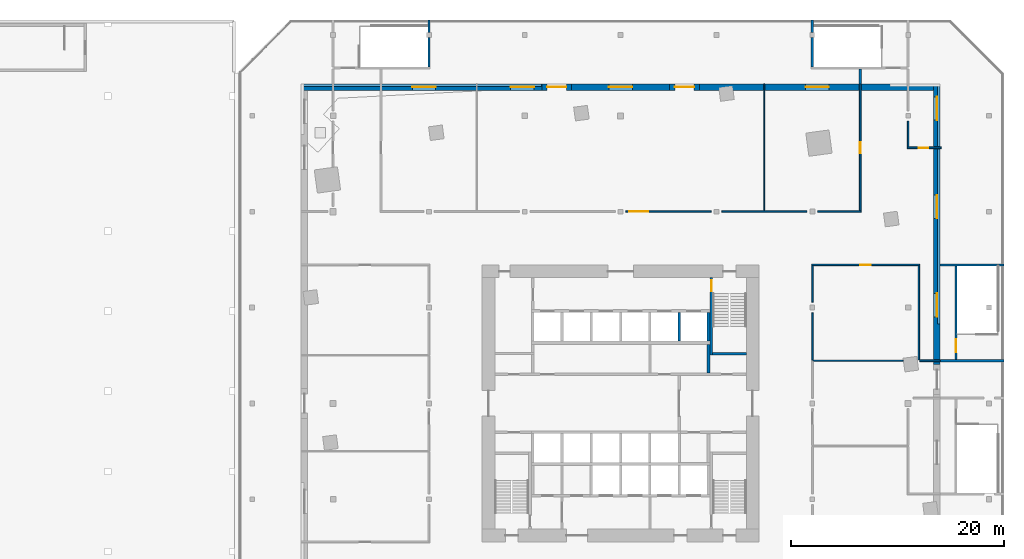
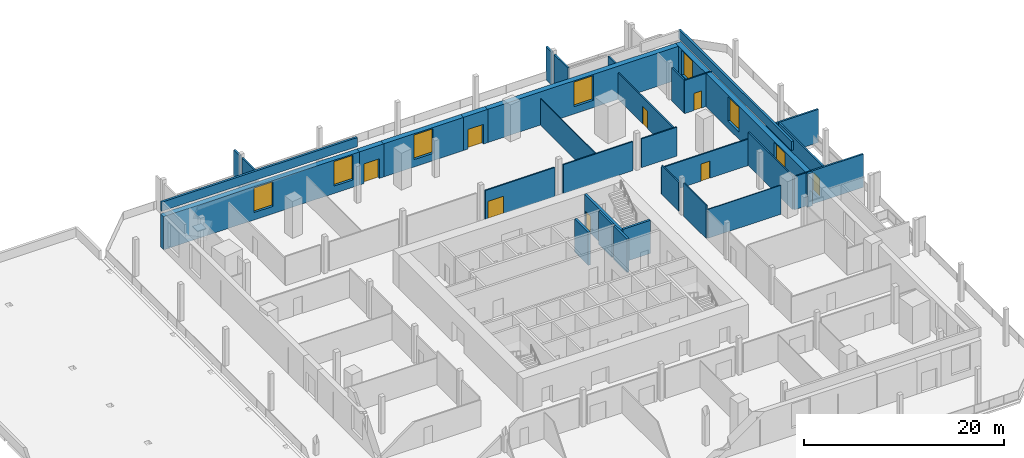
# One storey, part 7 of 12: 34 walls, 8 doors, 7 windows, 15 openings.
"""IFC4 building model written with IfcOpenShell, lengths in metres."""

from ifc_helpers import new_model, si_unit, direction, frame, frame_2d, origin, place, context, subcontext, project, spatial, rectangle, extrude, material, layer, layer_set, type_object, element, fill, save


model = new_model("IFC4")

# Units and contexts
model_context = context("Model", 3, precision=1e-05, world=origin(), true_north=direction((0.0, 1.0)))
body_context = subcontext(model_context, "Body", "Model", "MODEL_VIEW")
ifc_project = project(units=[si_unit("LENGTHUNIT", "METRE"), si_unit("AREAUNIT", "SQUARE_METRE"), si_unit("VOLUMEUNIT", "CUBIC_METRE"), si_unit("PLANEANGLEUNIT", "RADIAN"), si_unit("MASSUNIT", "GRAM", prefix="KILO")], contexts=[model_context])

# Site, building, storey
site_placement = place(None, origin())
site = spatial("IfcSite", under=ifc_project, at=site_placement, CompositionType="ELEMENT")
building_placement = place(site_placement, origin())
building = spatial("IfcBuilding", under=site, at=building_placement, Name="Dilmun Exchange Tower", CompositionType="ELEMENT")
storey_placement = place(building_placement, frame((0.0, 0.0, 18.0)))
storey = spatial("IfcBuildingStorey", under=building, at=storey_placement, Name="L04", CompositionType="ELEMENT", Elevation=18.0)

# Walls
ifc_material_1 = material(Name="Concrete C40/50", Category="concrete")
ifc_layer_1 = layer(ifc_material_1, 0.25)
ifc_layer_set_1 = layer_set([ifc_layer_1], Name="Concrete C40/50")
wall_type_1 = type_object("IfcWallType", Name="Core partition wall 250", PredefinedType="PARTITIONING", material=ifc_layer_set_1)
wall_1_placement = place(storey_placement, frame((8.25, 2.85498046875, 0.0), z_axis=(0.0, 0.0, 1.0), x_axis=(0.0, 1.0, 0.0)))
element("IfcWall", 1, at=wall_1_placement, inside=storey, type_object=wall_type_1, Name="L04 core partition wall 13", PredefinedType="PARTITIONING", context=body_context, shape_type="SweptSolid", body=[
    extrude(rectangle(XDim=2.68994140625, YDim=0.25, at=frame_2d((1.344970703125, 0.0))), origin(), (0.0, 0.0, 1.0), 4.050048828125),
])
ifc_material_2 = material(Name="Fire partition EI 60 150 gypsum")
ifc_layer_2 = layer(ifc_material_2, 0.14990234375)
ifc_layer_set_2 = layer_set([ifc_layer_2], Name="Fire partition EI 60 150 gypsum")
wall_type_2 = type_object("IfcWallType", Name="Fire partition EI 60 150 gypsum", PredefinedType="PARTITIONING", material=ifc_layer_set_2)
wall_2_placement = place(storey_placement, frame((28.074951171875, 4.0, 0.0), z_axis=(0.0, 0.0, 1.0), x_axis=(1.0, 0.0, 0.0)))
element("IfcWall", 2, at=wall_2_placement, inside=storey, type_object=wall_type_2, Name="L04 partition", PredefinedType="PARTITIONING", context=body_context, shape_type="SweptSolid", body=[
    extrude(rectangle(XDim=1.925048828125, YDim=0.14990234375, at=frame_2d((0.96240234375, 0.0))), origin(), (0.0, 0.0, 1.0), 4.050048828125),
])

# Wall, opening, door
wall_3_placement = place(storey_placement, frame((17.925048828125, 13.0, 0.0), z_axis=(0.0, 0.0, 1.0), x_axis=(1.0, 0.0, 0.0)))
wall_3 = element("IfcWall", 3, at=wall_3_placement, inside=storey, type_object=wall_type_2, Name="L04 partition", PredefinedType="PARTITIONING", context=body_context, shape_type="SweptSolid", body=[
    extrude(rectangle(XDim=10.14990234375, YDim=0.14990234375, at=frame_2d((5.074951171875, 0.0))), origin(), (0.0, 0.0, 1.0), 3.22998046875),
])
opening_1_placement = place(wall_3_placement, frame((4.574951171875, 0.0, 0.0)))
opening_1 = element("IfcOpeningElement", 4, at=opening_1_placement, cuts=wall_3, Name="Opening L04-D019", PredefinedType="OPENING", context=body_context, shape_type="SweptSolid", body=[
    extrude(rectangle(XDim=1.0, YDim=2.10009765625, at=frame_2d((0.5, 1.050048828125))), frame((0.0, 0.0849609375, 0.0), z_axis=(0.0, -1.0, 0.0), x_axis=(1.0, 0.0, 0.0)), (0.0, 0.0, 1.0), 0.169921875),
])
ifc_material_3 = material(Name="Fire door FD60 1000 x 2100")
door_type_1 = type_object("IfcDoorType", Name="Fire door FD60 1000 x 2100", OperationType="SINGLE_SWING_LEFT", PredefinedType="DOOR", material=ifc_material_3)
door_1_placement = place(opening_1_placement, origin())
door_1 = element("IfcDoor", 5, at=door_1_placement, inside=storey, type_object=door_type_1, Name="L04 door L04-D019", OperationType="SINGLE_SWING_LEFT", OverallHeight=2.10009765625, OverallWidth=1.0, PredefinedType="DOOR", context=body_context, shape_type="SweptSolid", body=[
    extrude(rectangle(XDim=1.0, YDim=2.10009765625, at=frame_2d((0.5, 1.050048828125))), frame((0.0, 0.02490234375, 0.0), z_axis=(0.0, -1.0, 0.0), x_axis=(1.0, 0.0, 0.0)), (0.0, 0.0, 1.0), 0.050048828125),
])
fill(opening_1, door_1)

wall_4_placement = place(storey_placement, frame((0.5, 18.0, 0.0), z_axis=(0.0, 0.0, 1.0), x_axis=(1.0, 0.0, 0.0)))
wall_4 = element("IfcWall", 6, at=wall_4_placement, inside=storey, type_object=wall_type_2, Name="L04 partition", PredefinedType="PARTITIONING", context=body_context, shape_type="SweptSolid", body=[
    extrude(rectangle(XDim=8.0, YDim=0.14990234375, at=frame_2d((4.0, 0.0))), origin(), (0.0, 0.0, 1.0), 3.530029296875),
])
opening_2_placement = place(wall_4_placement, frame((0.300048828125, 0.0, 0.0)))
opening_2 = element("IfcOpeningElement", 7, at=opening_2_placement, cuts=wall_4, Name="Opening L04-D009", PredefinedType="OPENING", context=body_context, shape_type="SweptSolid", body=[
    extrude(rectangle(XDim=1.800048828125, YDim=2.10009765625, at=frame_2d((0.89990234375, 1.050048828125))), frame((0.0, 0.0849609375, 0.0), z_axis=(0.0, -1.0, 0.0), x_axis=(1.0, 0.0, 0.0)), (0.0, 0.0, 1.0), 0.169921875),
])
ifc_material_4 = material(Name="Fire door FD60 double 1800 x 2100")
door_type_2 = type_object("IfcDoorType", Name="Fire door FD60 double 1800 x 2100", OperationType="DOUBLE_DOOR_SINGLE_SWING", PredefinedType="DOOR", material=ifc_material_4)
door_2_placement = place(opening_2_placement, origin())
door_2 = element("IfcDoor", 8, at=door_2_placement, inside=storey, type_object=door_type_2, Name="L04 door L04-D009", OperationType="DOUBLE_DOOR_SINGLE_SWING", OverallHeight=2.10009765625, OverallWidth=1.800048828125, PredefinedType="DOOR", context=body_context, shape_type="SweptSolid", body=[
    extrude(rectangle(XDim=1.800048828125, YDim=2.10009765625, at=frame_2d((0.89990234375, 1.050048828125))), frame((0.0, 0.02490234375, 0.0), z_axis=(0.0, -1.0, 0.0), x_axis=(1.0, 0.0, 0.0)), (0.0, 0.0, 1.0), 0.050048828125),
])
fill(opening_2, door_2)

# Walls
wall_5_placement = place(storey_placement, frame((9.5, 18.0, 0.0), z_axis=(0.0, 0.0, 1.0), x_axis=(1.0, 0.0, 0.0)))
element("IfcWall", 9, at=wall_5_placement, inside=storey, type_object=wall_type_2, Name="L04 partition", PredefinedType="PARTITIONING", context=body_context, shape_type="SweptSolid", body=[
    extrude(rectangle(XDim=8.0, YDim=0.14990234375, at=frame_2d((4.0, 0.0))), origin(), (0.0, 0.0, 1.0), 3.530029296875),
])
wall_6_placement = place(storey_placement, frame((18.5, 18.0, 0.0), z_axis=(0.0, 0.0, 1.0), x_axis=(1.0, 0.0, 0.0)))
element("IfcWall", 10, at=wall_6_placement, inside=storey, type_object=wall_type_2, Name="L04 partition", PredefinedType="PARTITIONING", context=body_context, shape_type="SweptSolid", body=[
    extrude(rectangle(XDim=4.074951171875, YDim=0.14990234375, at=frame_2d((2.03759765625, 0.0))), origin(), (0.0, 0.0, 1.0), 3.530029296875),
])

# Wall, opening, door
wall_7_placement = place(storey_placement, frame((26.925048828125, 24.0, 0.0), z_axis=(0.0, 0.0, 1.0), x_axis=(1.0, 0.0, 0.0)))
wall_7 = element("IfcWall", 11, at=wall_7_placement, inside=storey, type_object=wall_type_2, Name="L04 partition", PredefinedType="PARTITIONING", context=body_context, shape_type="SweptSolid", body=[
    extrude(rectangle(XDim=3.175048828125, YDim=0.14990234375, at=frame_2d((1.58740234375, 0.0))), origin(), (0.0, 0.0, 1.0), 4.050048828125),
])
opening_3_placement = place(wall_7_placement, frame((1.074951171875, 0.0, 0.0)))
opening_3 = element("IfcOpeningElement", 12, at=opening_3_placement, cuts=wall_7, Name="Opening L04-D005", PredefinedType="OPENING", context=body_context, shape_type="SweptSolid", body=[
    extrude(rectangle(XDim=0.89990234375, YDim=2.10009765625, at=frame_2d((0.449951171875, 1.050048828125))), frame((0.0, 0.0849609375, 0.0), z_axis=(0.0, -1.0, 0.0), x_axis=(1.0, 0.0, 0.0)), (0.0, 0.0, 1.0), 0.169921875),
])
ifc_material_5 = material(Name="Door 900 x 2100")
door_type_3 = type_object("IfcDoorType", Name="Door 900 x 2100", OperationType="SINGLE_SWING_LEFT", PredefinedType="DOOR", material=ifc_material_5)
door_3_placement = place(opening_3_placement, origin())
door_3 = element("IfcDoor", 13, at=door_3_placement, inside=storey, type_object=door_type_3, Name="L04 door L04-D005", OperationType="SINGLE_SWING_LEFT", OverallHeight=2.10009765625, OverallWidth=0.89990234375, PredefinedType="DOOR", context=body_context, shape_type="SweptSolid", body=[
    extrude(rectangle(XDim=0.89990234375, YDim=2.10009765625, at=frame_2d((0.449951171875, 1.050048828125))), frame((0.0, 0.02490234375, 0.0), z_axis=(0.0, -1.0, 0.0), x_axis=(1.0, 0.0, 0.0)), (0.0, 0.0, 1.0), 0.050048828125),
])
fill(opening_3, door_3)

# Walls
wall_8_placement = place(storey_placement, frame((18.0, 4.050048828125, 0.0), z_axis=(0.0, 0.0, 1.0), x_axis=(0.0, 1.0, 0.0)))
element("IfcWall", 14, at=wall_8_placement, inside=storey, type_object=wall_type_2, Name="L04 partition", PredefinedType="PARTITIONING", context=body_context, shape_type="SweptSolid", body=[
    extrude(rectangle(XDim=4.449951171875, YDim=0.14990234375, at=frame_2d((2.22509765625, 0.0))), origin(), (0.0, 0.0, 1.0), 4.050048828125),
])
wall_9_placement = place(storey_placement, frame((18.0, 9.5, 0.0), z_axis=(0.0, 0.0, 1.0), x_axis=(0.0, 1.0, 0.0)))
element("IfcWall", 15, at=wall_9_placement, inside=storey, type_object=wall_type_2, Name="L04 partition", PredefinedType="PARTITIONING", context=body_context, shape_type="SweptSolid", body=[
    extrude(rectangle(XDim=3.425048828125, YDim=0.14990234375, at=frame_2d((1.71240234375, 0.0))), origin(), (0.0, 0.0, 1.0), 3.530029296875),
])

# Wall, opening, door
wall_10_placement = place(storey_placement, frame((22.5, 18.074951171875, 0.0), z_axis=(0.0, 0.0, 1.0), x_axis=(0.0, 1.0, 0.0)))
wall_10 = element("IfcWall", 16, at=wall_10_placement, inside=storey, type_object=wall_type_2, Name="L04 partition", PredefinedType="PARTITIONING", context=body_context, shape_type="SweptSolid", body=[
    extrude(rectangle(XDim=11.925048828125, YDim=0.14990234375, at=frame_2d((5.96240234375, 0.0))), origin(), (0.0, 0.0, 1.0), 3.22998046875),
])
opening_4_placement = place(wall_10_placement, frame((5.425048828125, 0.0, 0.0)))
opening_4 = element("IfcOpeningElement", 17, at=opening_4_placement, cuts=wall_10, Name="Opening L04-D008", PredefinedType="OPENING", context=body_context, shape_type="SweptSolid", body=[
    extrude(rectangle(XDim=1.0, YDim=2.10009765625, at=frame_2d((0.5, 1.050048828125))), frame((0.0, 0.0849609375, 0.0), z_axis=(0.0, -1.0, 0.0), x_axis=(1.0, 0.0, 0.0)), (0.0, 0.0, 1.0), 0.169921875),
])
door_4_placement = place(opening_4_placement, origin())
door_4 = element("IfcDoor", 18, at=door_4_placement, inside=storey, type_object=door_type_1, Name="L04 door L04-D008", OperationType="SINGLE_SWING_RIGHT", OverallHeight=2.10009765625, OverallWidth=1.0, PredefinedType="DOOR", context=body_context, shape_type="SweptSolid", body=[
    extrude(rectangle(XDim=1.0, YDim=2.10009765625, at=frame_2d((0.5, 1.050048828125))), frame((0.0, 0.02490234375, 0.0), z_axis=(0.0, -1.0, 0.0), x_axis=(1.0, 0.0, 0.0)), (0.0, 0.0, 1.0), 0.050048828125),
])
fill(opening_4, door_4)

# Walls
wall_11_placement = place(storey_placement, frame((27.0, 24.074951171875, 0.0), z_axis=(0.0, 0.0, 1.0), x_axis=(0.0, 1.0, 0.0)))
element("IfcWall", 19, at=wall_11_placement, inside=storey, type_object=wall_type_2, Name="L04 partition", PredefinedType="PARTITIONING", context=body_context, shape_type="SweptSolid", body=[
    extrude(rectangle(XDim=2.425048828125, YDim=0.14990234375, at=frame_2d((1.21240234375, 0.0))), origin(), (0.0, 0.0, 1.0), 4.050048828125),
])
wall_12_placement = place(storey_placement, frame((28.0, 4.074951171875, 0.0), z_axis=(0.0, 0.0, 1.0), x_axis=(0.0, 1.0, 0.0)))
element("IfcWall", 20, at=wall_12_placement, inside=storey, type_object=wall_type_2, Name="L04 partition", PredefinedType="PARTITIONING", context=body_context, shape_type="SweptSolid", body=[
    extrude(rectangle(XDim=8.85009765625, YDim=0.14990234375, at=frame_2d((4.425048828125, 0.0))), origin(), (0.0, 0.0, 1.0), 4.050048828125),
])
ifc_material_6 = material(Name="Fire wall EI 120 200 blockwork", Category="masonry")
ifc_layer_3 = layer(ifc_material_6, 0.199951171875)
ifc_layer_set_3 = layer_set([ifc_layer_3], Name="Fire wall EI 120 200 blockwork")
wall_type_3 = type_object("IfcWallType", Name="Fire wall EI 120 200 blockwork", PredefinedType="PARTITIONING", material=ifc_layer_set_3)
for number, where, z_axis, x_axis, name in (
    (21, (30.0, 4.0, 0.0), (0.0, 0.0, 1.0), (1.0, 0.0, 0.0), "L04 stair wall"),
    (22, (30.0, 13.0, 0.0), (0.0, 0.0, 1.0), (1.0, 0.0, 0.0), "L04 stair wall"),
):
    element("IfcWall", number, at=place(storey_placement, frame(where, z_axis=z_axis, x_axis=x_axis)), inside=storey, type_object=wall_type_3, Name=name, PredefinedType="PARTITIONING", context=body_context, shape_type="SweptSolid", body=[
        extrude(rectangle(XDim=6.0, YDim=0.199951171875, at=frame_2d((3.0, 0.0))), origin(), (0.0, 0.0, 1.0), 4.050048828125),
    ])
wall_13_placement = place(storey_placement, frame((-18.0, 31.60009765625, 0.0), z_axis=(0.0, 0.0, 1.0), x_axis=(0.0, 1.0, 0.0)))
element("IfcWall", 23, at=wall_13_placement, inside=storey, type_object=wall_type_3, Name="L04 stair wall", PredefinedType="PARTITIONING", context=body_context, shape_type="SweptSolid", body=[
    extrude(rectangle(XDim=2.77490234375, YDim=0.199951171875, at=frame_2d((1.387451171875, 0.0))), origin(), (0.0, 0.0, 1.0), 4.050048828125),
])
wall_14_placement = place(storey_placement, frame((-18.0, 34.824951171875, 0.0), z_axis=(0.0, 0.0, 1.0), x_axis=(0.0, 1.0, 0.0)))
element("IfcWall", 24, at=wall_14_placement, inside=storey, type_object=wall_type_3, Name="L04 stair wall", PredefinedType="PARTITIONING", context=body_context, shape_type="SweptSolid", body=[
    extrude(rectangle(XDim=1.175048828125, YDim=0.199951171875, at=frame_2d((0.58740234375, 0.0))), origin(), (0.0, 0.0, 1.0), 4.050048828125),
])
wall_15_placement = place(storey_placement, frame((18.0, 31.60009765625, 0.0), z_axis=(0.0, 0.0, 1.0), x_axis=(0.0, 1.0, 0.0)))
element("IfcWall", 25, at=wall_15_placement, inside=storey, type_object=wall_type_3, Name="L04 stair wall", PredefinedType="PARTITIONING", context=body_context, shape_type="SweptSolid", body=[
    extrude(rectangle(XDim=2.77490234375, YDim=0.199951171875, at=frame_2d((1.387451171875, 0.0))), origin(), (0.0, 0.0, 1.0), 4.050048828125),
])
wall_16_placement = place(storey_placement, frame((18.0, 34.824951171875, 0.0), z_axis=(0.0, 0.0, 1.0), x_axis=(0.0, 1.0, 0.0)))
element("IfcWall", 26, at=wall_16_placement, inside=storey, type_object=wall_type_3, Name="L04 stair wall", PredefinedType="PARTITIONING", context=body_context, shape_type="SweptSolid", body=[
    extrude(rectangle(XDim=1.175048828125, YDim=0.199951171875, at=frame_2d((0.58740234375, 0.0))), origin(), (0.0, 0.0, 1.0), 4.050048828125),
])
wall_17_placement = place(storey_placement, frame((22.5, 30.0, 0.0), z_axis=(0.0, 0.0, 1.0), x_axis=(0.0, 1.0, 0.0)))
element("IfcWall", 27, at=wall_17_placement, inside=storey, type_object=wall_type_3, Name="L04 partition", PredefinedType="PARTITIONING", context=body_context, shape_type="SweptSolid", body=[
    extrude(rectangle(XDim=1.39990234375, YDim=0.199951171875, at=frame_2d((0.699951171875, 0.0))), origin(), (0.0, 0.0, 1.0), 4.050048828125),
])

# Wall, opening, door
wall_18_placement = place(storey_placement, frame((31.5, 4.10009765625, 0.0), z_axis=(0.0, 0.0, 1.0), x_axis=(0.0, 1.0, 0.0)))
wall_18 = element("IfcWall", 28, at=wall_18_placement, inside=storey, type_object=wall_type_3, Name="L04 stair wall", PredefinedType="PARTITIONING", context=body_context, shape_type="SweptSolid", body=[
    extrude(rectangle(XDim=8.7998046875, YDim=0.199951171875, at=frame_2d((4.39990234375, 0.0))), origin(), (0.0, 0.0, 1.0), 4.050048828125),
])
opening_5_placement = place(wall_18_placement, frame((0.699951171875, 0.0, 0.0)))
opening_5 = element("IfcOpeningElement", 29, at=opening_5_placement, cuts=wall_18, Name="Opening L04-D004", PredefinedType="OPENING", context=body_context, shape_type="SweptSolid", body=[
    extrude(rectangle(XDim=1.199951171875, YDim=2.10009765625, at=frame_2d((0.60009765625, 1.050048828125))), frame((0.0, 0.10986328125, 0.0), z_axis=(0.0, -1.0, 0.0), x_axis=(1.0, 0.0, 0.0)), (0.0, 0.0, 1.0), 0.219970703125),
])
ifc_material_7 = material(Name="Stair door FD90 1200 x 2100")
door_type_4 = type_object("IfcDoorType", Name="Stair door FD90 1200 x 2100", OperationType="SINGLE_SWING_LEFT", PredefinedType="DOOR", material=ifc_material_7)
door_5_placement = place(opening_5_placement, frame((1.199951171875, 0.0, 0.0), z_axis=(0.0, 0.0, 1.0), x_axis=(-1.0, 0.0, 0.0)))
door_5 = element("IfcDoor", 30, at=door_5_placement, inside=storey, type_object=door_type_4, Name="L04 door L04-D004", OperationType="SINGLE_SWING_RIGHT", OverallHeight=2.10009765625, OverallWidth=1.199951171875, PredefinedType="DOOR", context=body_context, shape_type="SweptSolid", body=[
    extrude(rectangle(XDim=1.199951171875, YDim=2.10009765625, at=frame_2d((0.60009765625, 1.050048828125))), frame((0.0, 0.02490234375, 0.0), z_axis=(0.0, -1.0, 0.0), x_axis=(1.0, 0.0, 0.0)), (0.0, 0.0, 1.0), 0.050048828125),
])
fill(opening_5, door_5)

# Walls
ifc_layer_4 = layer(ifc_material_1, 0.25)
ifc_layer_set_4 = layer_set([ifc_layer_4], Name="Concrete C40/50")
wall_type_4 = type_object("IfcWallType", Name="Lift shaft wall 250", PredefinedType="SOLIDWALL", material=ifc_layer_set_4)
for number, where, z_axis, x_axis, name in (
    (31, (5.5, 5.85009765625, 0.0), (0.0, 0.0, 1.0), (0.0, 1.0, 0.0), "L04 lift shaft divider N25"),
    (32, (8.25, 5.85009765625, 0.0), (0.0, 0.0, 1.0), (0.0, 1.0, 0.0), "L04 lift shaft divider N26"),
):
    element("IfcWall", number, at=place(storey_placement, frame(where, z_axis=z_axis, x_axis=x_axis)), inside=storey, type_object=wall_type_4, Name=name, PredefinedType="SOLIDWALL", context=body_context, shape_type="SweptSolid", body=[
        extrude(rectangle(XDim=2.699951171875, YDim=0.25, at=frame_2d((1.35009765625, 0.0))), origin(), (0.0, 0.0, 1.0), 4.050048828125),
    ])
ifc_material_8 = material(Name="Partition 100 gypsum")
ifc_layer_5 = layer(ifc_material_8, 0.10009765625)
ifc_layer_set_5 = layer_set([ifc_layer_5], Name="Partition 100 gypsum")
wall_type_5 = type_object("IfcWallType", Name="Partition 100 gypsum", PredefinedType="PARTITIONING", material=ifc_layer_set_5)
wall_19_placement = place(storey_placement, frame((18.074951171875, 4.0, 0.0), z_axis=(0.0, 0.0, 1.0), x_axis=(1.0, 0.0, 0.0)))
element("IfcWall", 33, at=wall_19_placement, inside=storey, type_object=wall_type_5, Name="L04 partition", PredefinedType="PARTITIONING", context=body_context, shape_type="SweptSolid", body=[
    extrude(rectangle(XDim=8.44677734375, YDim=0.10009765625, at=frame_2d((4.223388671875, 0.0))), origin(), (0.0, 0.0, 1.0), 3.530029296875),
])
wall_20_placement = place(storey_placement, frame((13.5, 18.074951171875, 0.0), z_axis=(0.0, 0.0, 1.0), x_axis=(0.0, 1.0, 0.0)))
element("IfcWall", 34, at=wall_20_placement, inside=storey, type_object=wall_type_5, Name="L04 partition", PredefinedType="PARTITIONING", context=body_context, shape_type="SweptSolid", body=[
    extrude(rectangle(XDim=11.925048828125, YDim=0.10009765625, at=frame_2d((5.96240234375, 0.0))), origin(), (0.0, 0.0, 1.0), 3.22998046875),
])

# Wall, openings, windows
ifc_material_9 = material(Name="Precast concrete C50/60", Category="concrete")
ifc_layer_6 = layer(ifc_material_9, 0.60009765625)
ifc_layer_set_6 = layer_set([ifc_layer_6], Name="Precast concrete C50/60")
wall_type_6 = type_object("IfcWallType", Name="Precast stone-clad wall 600", PredefinedType="STANDARD", material=ifc_layer_set_6)
wall_21_placement = place(storey_placement, frame((29.699951171875, 3.64990234375, 0.0), z_axis=(0.0, 0.0, 1.0), x_axis=(0.0, 1.0, 0.0)))
wall_21 = element("IfcWall", 35, at=wall_21_placement, inside=storey, type_object=wall_type_6, Name="Facade wall L04-00-2", PredefinedType="STANDARD", context=body_context, shape_type="SweptSolid", body=[
    extrude(rectangle(XDim=26.35009765625, YDim=0.60009765625, at=frame_2d((13.175048828125, 0.0))), origin(), (0.0, 0.0, 1.0), 4.050048828125),
])
opening_6_placement = place(wall_21_placement, frame((4.480712890625, 0.0, 0.89990234375)))
opening_6 = element("IfcOpeningElement", 36, at=opening_6_placement, cuts=wall_21, Name="Opening W220-300", PredefinedType="OPENING", context=body_context, shape_type="SweptSolid", body=[
    extrude(rectangle(XDim=2.199951171875, YDim=3.0, at=frame_2d((1.10009765625, 1.5))), frame((0.0, 0.31005859375, 0.0), z_axis=(0.0, -1.0, 0.0), x_axis=(1.0, 0.0, 0.0)), (0.0, 0.0, 1.0), 0.6201171875),
])
opening_7_placement = place(wall_21_placement, frame((13.71142578125, 0.0, 0.89990234375)))
opening_7 = element("IfcOpeningElement", 37, at=opening_7_placement, cuts=wall_21, Name="Opening W220-300", PredefinedType="OPENING", context=body_context, shape_type="SweptSolid", body=[
    extrude(rectangle(XDim=2.199951171875, YDim=3.0, at=frame_2d((1.10009765625, 1.5))), frame((0.0, 0.31005859375, 0.0), z_axis=(0.0, -1.0, 0.0), x_axis=(1.0, 0.0, 0.0)), (0.0, 0.0, 1.0), 0.6201171875),
])
opening_8_placement = place(wall_21_placement, frame((22.9423828125, 0.0, 0.89990234375)))
opening_8 = element("IfcOpeningElement", 38, at=opening_8_placement, cuts=wall_21, Name="Opening W220-300", PredefinedType="OPENING", context=body_context, shape_type="SweptSolid", body=[
    extrude(rectangle(XDim=2.199951171875, YDim=3.0, at=frame_2d((1.10009765625, 1.5))), frame((0.0, 0.31005859375, 0.0), z_axis=(0.0, -1.0, 0.0), x_axis=(1.0, 0.0, 0.0)), (0.0, 0.0, 1.0), 0.6201171875),
])
ifc_material_10 = material(Name="Clear low-emissivity glass in aluminium frame", Category="aluminium")
window_type = type_object("IfcWindowType", Name="Punched window 2200 x 3000", PartitioningType="DOUBLE_PANEL_VERTICAL", PredefinedType="WINDOW", material=ifc_material_10)
window_1_placement = place(opening_6_placement, origin())
window_1 = element("IfcWindow", 39, at=window_1_placement, inside=storey, type_object=window_type, Name="Window 1.9", OverallHeight=3.0, OverallWidth=2.199951171875, PartitioningType="SINGLE_PANEL", PredefinedType="WINDOW", context=body_context, shape_type="SweptSolid", body=[
    extrude(rectangle(XDim=2.199951171875, YDim=3.0, at=frame_2d((1.10009765625, 1.5))), frame((0.0, 0.030029296875, 0.0), z_axis=(0.0, -1.0, 0.0), x_axis=(1.0, 0.0, 0.0)), (0.0, 0.0, 1.0), 0.06005859375),
])
fill(opening_6, window_1)
window_2_placement = place(opening_7_placement, origin())
window_2 = element("IfcWindow", 40, at=window_2_placement, inside=storey, type_object=window_type, Name="Window 1.11", OverallHeight=3.0, OverallWidth=2.199951171875, PartitioningType="SINGLE_PANEL", PredefinedType="WINDOW", context=body_context, shape_type="SweptSolid", body=[
    extrude(rectangle(XDim=2.199951171875, YDim=3.0, at=frame_2d((1.10009765625, 1.5))), frame((0.0, 0.030029296875, 0.0), z_axis=(0.0, -1.0, 0.0), x_axis=(1.0, 0.0, 0.0)), (0.0, 0.0, 1.0), 0.06005859375),
])
fill(opening_7, window_2)
window_3_placement = place(opening_8_placement, origin())
window_3 = element("IfcWindow", 41, at=window_3_placement, inside=storey, type_object=window_type, Name="Window 1.13", OverallHeight=3.0, OverallWidth=2.199951171875, PartitioningType="SINGLE_PANEL", PredefinedType="WINDOW", context=body_context, shape_type="SweptSolid", body=[
    extrude(rectangle(XDim=2.199951171875, YDim=3.0, at=frame_2d((1.10009765625, 1.5))), frame((0.0, 0.030029296875, 0.0), z_axis=(0.0, -1.0, 0.0), x_axis=(1.0, 0.0, 0.0)), (0.0, 0.0, 1.0), 0.06005859375),
])
fill(opening_8, window_3)

# Wall, opening, window
wall_22_placement = place(storey_placement, frame((29.39990234375, 29.699951171875, 0.0), z_axis=(0.0, 0.0, 1.0), x_axis=(-1.0, 0.0, 0.0)))
wall_22 = element("IfcWall", 42, at=wall_22_placement, inside=storey, type_object=wall_type_6, Name="Facade wall L04-01-0", PredefinedType="STANDARD", context=body_context, shape_type="SweptSolid", body=[
    extrude(rectangle(XDim=22.0, YDim=0.60009765625, at=frame_2d((11.0, 0.0))), origin(), (0.0, 0.0, 1.0), 4.050048828125),
])
opening_9_placement = place(wall_22_placement, frame((9.83837890625, 0.0, 0.89990234375)))
opening_9 = element("IfcOpeningElement", 43, at=opening_9_placement, cuts=wall_22, Name="Opening W220-300", PredefinedType="OPENING", context=body_context, shape_type="SweptSolid", body=[
    extrude(rectangle(XDim=2.199951171875, YDim=3.0, at=frame_2d((1.10009765625, 1.5))), frame((0.0, 0.31005859375, 0.0), z_axis=(0.0, -1.0, 0.0), x_axis=(1.0, 0.0, 0.0)), (0.0, 0.0, 1.0), 0.6201171875),
])
window_4_placement = place(opening_9_placement, origin())
window_4 = element("IfcWindow", 44, at=window_4_placement, inside=storey, type_object=window_type, Name="Window 2.3", OverallHeight=3.0, OverallWidth=2.199951171875, PartitioningType="SINGLE_PANEL", PredefinedType="WINDOW", context=body_context, shape_type="SweptSolid", body=[
    extrude(rectangle(XDim=2.199951171875, YDim=3.0, at=frame_2d((1.10009765625, 1.5))), frame((0.0, 0.030029296875, 0.0), z_axis=(0.0, -1.0, 0.0), x_axis=(1.0, 0.0, 0.0)), (0.0, 0.0, 1.0), 0.06005859375),
])
fill(opening_9, window_4)

# Wall, opening, door
wall_23_placement = place(storey_placement, frame((4.60009765625, 29.699951171875, 0.0), z_axis=(0.0, 0.0, 1.0), x_axis=(1.0, 0.0, 0.0)))
wall_23 = element("IfcWall", 45, at=wall_23_placement, inside=storey, type_object=wall_type_6, Name="Facade wall L04-01-1", PredefinedType="STANDARD", context=body_context, shape_type="SweptSolid", body=[
    extrude(rectangle(XDim=2.7998046875, YDim=0.60009765625, at=frame_2d((1.39990234375, 0.0))), origin(), (0.0, 0.0, 1.0), 4.050048828125),
])
opening_10_placement = place(wall_23_placement, frame((0.5, 0.0, 0.0)))
opening_10 = element("IfcOpeningElement", 46, at=opening_10_placement, cuts=wall_23, Name="Opening TD1", PredefinedType="OPENING", context=body_context, shape_type="SweptSolid", body=[
    extrude(rectangle(XDim=1.800048828125, YDim=2.39990234375, at=frame_2d((0.89990234375, 1.199951171875))), frame((0.0, 0.31005859375, 0.0), z_axis=(0.0, -1.0, 0.0), x_axis=(1.0, 0.0, 0.0)), (0.0, 0.0, 1.0), 0.6201171875),
])
door_type_5 = type_object("IfcDoorType", Name="Glazed terrace door pair 1800 x 2400", OperationType="DOUBLE_DOOR_SINGLE_SWING", PredefinedType="DOOR", material=ifc_material_10)
door_6_placement = place(opening_10_placement, origin())
door_6 = element("IfcDoor", 47, at=door_6_placement, inside=storey, type_object=door_type_5, Name="Door X-T2 terrace", OperationType="DOUBLE_DOOR_SINGLE_SWING", OverallHeight=2.39990234375, OverallWidth=1.800048828125, PredefinedType="DOOR", context=body_context, shape_type="SweptSolid", body=[
    extrude(rectangle(XDim=1.800048828125, YDim=2.39990234375, at=frame_2d((0.89990234375, 1.199951171875))), frame((0.0, 0.02490234375, 0.0), z_axis=(0.0, -1.0, 0.0), x_axis=(1.0, 0.0, 0.0)), (0.0, 0.0, 1.0), 0.050048828125),
])
fill(opening_10, door_6)

# Wall, opening, window
wall_24_placement = place(storey_placement, frame((4.60009765625, 29.699951171875, 0.0), z_axis=(0.0, 0.0, 1.0), x_axis=(-1.0, 0.0, 0.0)))
wall_24 = element("IfcWall", 48, at=wall_24_placement, inside=storey, type_object=wall_type_6, Name="Facade wall L04-01-2", PredefinedType="STANDARD", context=body_context, shape_type="SweptSolid", body=[
    extrude(rectangle(XDim=9.2001953125, YDim=0.60009765625, at=frame_2d((4.60009765625, 0.0))), origin(), (0.0, 0.0, 1.0), 4.050048828125),
])
opening_11_placement = place(wall_24_placement, frame((3.5, 0.0, 0.89990234375)))
opening_11 = element("IfcOpeningElement", 49, at=opening_11_placement, cuts=wall_24, Name="Opening W220-300", PredefinedType="OPENING", context=body_context, shape_type="SweptSolid", body=[
    extrude(rectangle(XDim=2.199951171875, YDim=3.0, at=frame_2d((1.10009765625, 1.5))), frame((0.0, 0.31005859375, 0.0), z_axis=(0.0, -1.0, 0.0), x_axis=(1.0, 0.0, 0.0)), (0.0, 0.0, 1.0), 0.6201171875),
])
window_5_placement = place(opening_11_placement, origin())
window_5 = element("IfcWindow", 50, at=window_5_placement, inside=storey, type_object=window_type, Name="Window 2.7", OverallHeight=3.0, OverallWidth=2.199951171875, PartitioningType="SINGLE_PANEL", PredefinedType="WINDOW", context=body_context, shape_type="SweptSolid", body=[
    extrude(rectangle(XDim=2.199951171875, YDim=3.0, at=frame_2d((1.10009765625, 1.5))), frame((0.0, 0.030029296875, 0.0), z_axis=(0.0, -1.0, 0.0), x_axis=(1.0, 0.0, 0.0)), (0.0, 0.0, 1.0), 0.06005859375),
])
fill(opening_11, window_5)

# Wall, opening, door
wall_25_placement = place(storey_placement, frame((-7.39990234375, 29.699951171875, 0.0), z_axis=(0.0, 0.0, 1.0), x_axis=(1.0, 0.0, 0.0)))
wall_25 = element("IfcWall", 51, at=wall_25_placement, inside=storey, type_object=wall_type_6, Name="Facade wall L04-01-3", PredefinedType="STANDARD", context=body_context, shape_type="SweptSolid", body=[
    extrude(rectangle(XDim=2.7998046875, YDim=0.60009765625, at=frame_2d((1.39990234375, 0.0))), origin(), (0.0, 0.0, 1.0), 4.050048828125),
])
opening_12_placement = place(wall_25_placement, frame((0.5, 0.0, 0.0)))
opening_12 = element("IfcOpeningElement", 52, at=opening_12_placement, cuts=wall_25, Name="Opening TD1", PredefinedType="OPENING", context=body_context, shape_type="SweptSolid", body=[
    extrude(rectangle(XDim=1.800048828125, YDim=2.39990234375, at=frame_2d((0.89990234375, 1.199951171875))), frame((0.0, 0.31005859375, 0.0), z_axis=(0.0, -1.0, 0.0), x_axis=(1.0, 0.0, 0.0)), (0.0, 0.0, 1.0), 0.6201171875),
])
door_7_placement = place(opening_12_placement, origin())
door_7 = element("IfcDoor", 53, at=door_7_placement, inside=storey, type_object=door_type_5, Name="Door X-T1 terrace", OperationType="DOUBLE_DOOR_SINGLE_SWING", OverallHeight=2.39990234375, OverallWidth=1.800048828125, PredefinedType="DOOR", context=body_context, shape_type="SweptSolid", body=[
    extrude(rectangle(XDim=1.800048828125, YDim=2.39990234375, at=frame_2d((0.89990234375, 1.199951171875))), frame((0.0, 0.02490234375, 0.0), z_axis=(0.0, -1.0, 0.0), x_axis=(1.0, 0.0, 0.0)), (0.0, 0.0, 1.0), 0.050048828125),
])
fill(opening_12, door_7)

# Wall, openings, windows
wall_26_placement = place(storey_placement, frame((-7.39990234375, 29.699951171875, 0.0), z_axis=(0.0, 0.0, 1.0), x_axis=(-1.0, 0.0, 0.0)))
wall_26 = element("IfcWall", 54, at=wall_26_placement, inside=storey, type_object=wall_type_6, Name="Facade wall L04-01-4", PredefinedType="STANDARD", context=body_context, shape_type="SweptSolid", body=[
    extrude(rectangle(XDim=22.60009765625, YDim=0.60009765625, at=frame_2d((11.300048828125, 0.0))), origin(), (0.0, 0.0, 1.0), 4.050048828125),
])
opening_13_placement = place(wall_26_placement, frame((0.730712890625, 0.0, 0.89990234375)))
opening_13 = element("IfcOpeningElement", 55, at=opening_13_placement, cuts=wall_26, Name="Opening W220-300", PredefinedType="OPENING", context=body_context, shape_type="SweptSolid", body=[
    extrude(rectangle(XDim=2.199951171875, YDim=3.0, at=frame_2d((1.10009765625, 1.5))), frame((0.0, 0.31005859375, 0.0), z_axis=(0.0, -1.0, 0.0), x_axis=(1.0, 0.0, 0.0)), (0.0, 0.0, 1.0), 0.6201171875),
])
opening_14_placement = place(wall_26_placement, frame((9.96142578125, 0.0, 0.89990234375)))
opening_14 = element("IfcOpeningElement", 56, at=opening_14_placement, cuts=wall_26, Name="Opening W220-300", PredefinedType="OPENING", context=body_context, shape_type="SweptSolid", body=[
    extrude(rectangle(XDim=2.199951171875, YDim=3.0, at=frame_2d((1.10009765625, 1.5))), frame((0.0, 0.31005859375, 0.0), z_axis=(0.0, -1.0, 0.0), x_axis=(1.0, 0.0, 0.0)), (0.0, 0.0, 1.0), 0.6201171875),
])
window_6_placement = place(opening_13_placement, origin())
window_6 = element("IfcWindow", 57, at=window_6_placement, inside=storey, type_object=window_type, Name="Window 2.9", OverallHeight=3.0, OverallWidth=2.199951171875, PartitioningType="SINGLE_PANEL", PredefinedType="WINDOW", context=body_context, shape_type="SweptSolid", body=[
    extrude(rectangle(XDim=2.199951171875, YDim=3.0, at=frame_2d((1.10009765625, 1.5))), frame((0.0, 0.030029296875, 0.0), z_axis=(0.0, -1.0, 0.0), x_axis=(1.0, 0.0, 0.0)), (0.0, 0.0, 1.0), 0.06005859375),
])
fill(opening_13, window_6)
window_7_placement = place(opening_14_placement, origin())
window_7 = element("IfcWindow", 58, at=window_7_placement, inside=storey, type_object=window_type, Name="Window 2.11", OverallHeight=3.0, OverallWidth=2.199951171875, PartitioningType="SINGLE_PANEL", PredefinedType="WINDOW", context=body_context, shape_type="SweptSolid", body=[
    extrude(rectangle(XDim=2.199951171875, YDim=3.0, at=frame_2d((1.10009765625, 1.5))), frame((0.0, 0.030029296875, 0.0), z_axis=(0.0, -1.0, 0.0), x_axis=(1.0, 0.0, 0.0)), (0.0, 0.0, 1.0), 0.06005859375),
])
fill(opening_14, window_7)

# Walls
ifc_material_11 = material(Name="Precast concrete C40/50", Category="concrete")
ifc_layer_7 = layer(ifc_material_11, 0.25)
ifc_layer_set_7 = layer_set([ifc_layer_7], Name="Precast concrete C40/50")
wall_type_7 = type_object("IfcWallType", Name="Roof parapet 250", PredefinedType="PARAPET", material=ifc_layer_set_7)
for number, where, z_axis, x_axis, name in (
    (59, (29.875, 7.453125, 4.5), (0.0, 0.0, 1.0), (0.0, 1.0, 0.0), "Enclosure roof parapet 4"),
    (60, (-7.453125, 29.875, 4.5), (0.0, 0.0, 1.0), (-1.0, 0.0, 0.0), "Enclosure roof parapet 5"),
):
    element("IfcWall", number, at=place(storey_placement, frame(where, z_axis=z_axis, x_axis=x_axis)), inside=storey, type_object=wall_type_7, Name=name, PredefinedType="PARAPET", context=body_context, shape_type="SweptSolid", body=[
        extrude(rectangle(XDim=22.546875, YDim=0.25, at=frame_2d((11.2734375, 0.0))), origin(), (0.0, 0.0, 1.0), 1.10009765625),
    ])
ifc_layer_8 = layer(ifc_material_1, 0.25)
ifc_layer_set_8 = layer_set([ifc_layer_8], Name="Concrete C40/50")
wall_type_8 = type_object("IfcWallType", Name="Stair end wall 250", PredefinedType="SOLIDWALL", material=ifc_layer_set_8)
wall_27_placement = place(storey_placement, frame((8.64990234375, 4.675048828125, 0.0), z_axis=(0.0, 0.0, 1.0), x_axis=(1.0, 0.0, 0.0)))
element("IfcWall", 61, at=wall_27_placement, inside=storey, type_object=wall_type_8, Name="L04 ST1 far wall", PredefinedType="SOLIDWALL", context=body_context, shape_type="SweptSolid", body=[
    extrude(rectangle(XDim=3.150146484375, YDim=0.25, at=frame_2d((1.5751953125, 0.0))), origin(), (0.0, 0.0, 1.0), 4.050048828125),
])

# Wall, opening, door
ifc_layer_9 = layer(ifc_material_1, 0.27490234375)
ifc_layer_set_9 = layer_set([ifc_layer_9], Name="Concrete C40/50")
wall_type_9 = type_object("IfcWallType", Name="Stair wall 275", PredefinedType="SOLIDWALL", material=ifc_layer_set_9)
wall_28_placement = place(storey_placement, frame((8.512451171875, 4.550048828125, 0.0), z_axis=(0.0, 0.0, 1.0), x_axis=(0.0, 1.0, 0.0)))
wall_28 = element("IfcWall", 62, at=wall_28_placement, inside=storey, type_object=wall_type_9, Name="L04 ST1 wall to lift block", PredefinedType="SOLIDWALL", context=body_context, shape_type="SweptSolid", body=[
    extrude(rectangle(XDim=7.25, YDim=0.27490234375, at=frame_2d((3.625, 0.0))), origin(), (0.0, 0.0, 1.0), 4.050048828125),
])
opening_15_placement = place(wall_28_placement, frame((6.0, 0.0, 0.0)))
opening_15 = element("IfcOpeningElement", 63, at=opening_15_placement, cuts=wall_28, Name="Opening CD4", PredefinedType="OPENING", context=body_context, shape_type="SweptSolid", body=[
    extrude(rectangle(XDim=1.0, YDim=2.10009765625, at=frame_2d((0.5, 1.050048828125))), frame((0.0, 0.1474609375, 0.0), z_axis=(0.0, -1.0, 0.0), x_axis=(1.0, 0.0, 0.0)), (0.0, 0.0, 1.0), 0.294921875),
])
ifc_material_12 = material(Name="Fire-rated steel door set", Category="steel")
door_type_6 = type_object("IfcDoorType", Name="Core room door 1000x2100", OperationType="SINGLE_SWING_LEFT", PredefinedType="DOOR", material=ifc_material_12)
door_8_placement = place(opening_15_placement, origin())
door_8 = element("IfcDoor", 64, at=door_8_placement, inside=storey, type_object=door_type_6, Name="L04 door ST1 from lobby", OperationType="SINGLE_SWING_LEFT", OverallHeight=2.10009765625, OverallWidth=1.0, PredefinedType="DOOR", context=body_context, shape_type="SweptSolid", body=[
    extrude(rectangle(XDim=1.0, YDim=2.10009765625, at=frame_2d((0.5, 1.050048828125))), frame((0.0, 0.02490234375, 0.0), z_axis=(0.0, -1.0, 0.0), x_axis=(1.0, 0.0, 0.0)), (0.0, 0.0, 1.0), 0.050048828125),
])
fill(opening_15, door_8)

save(model, "model.ifc")
